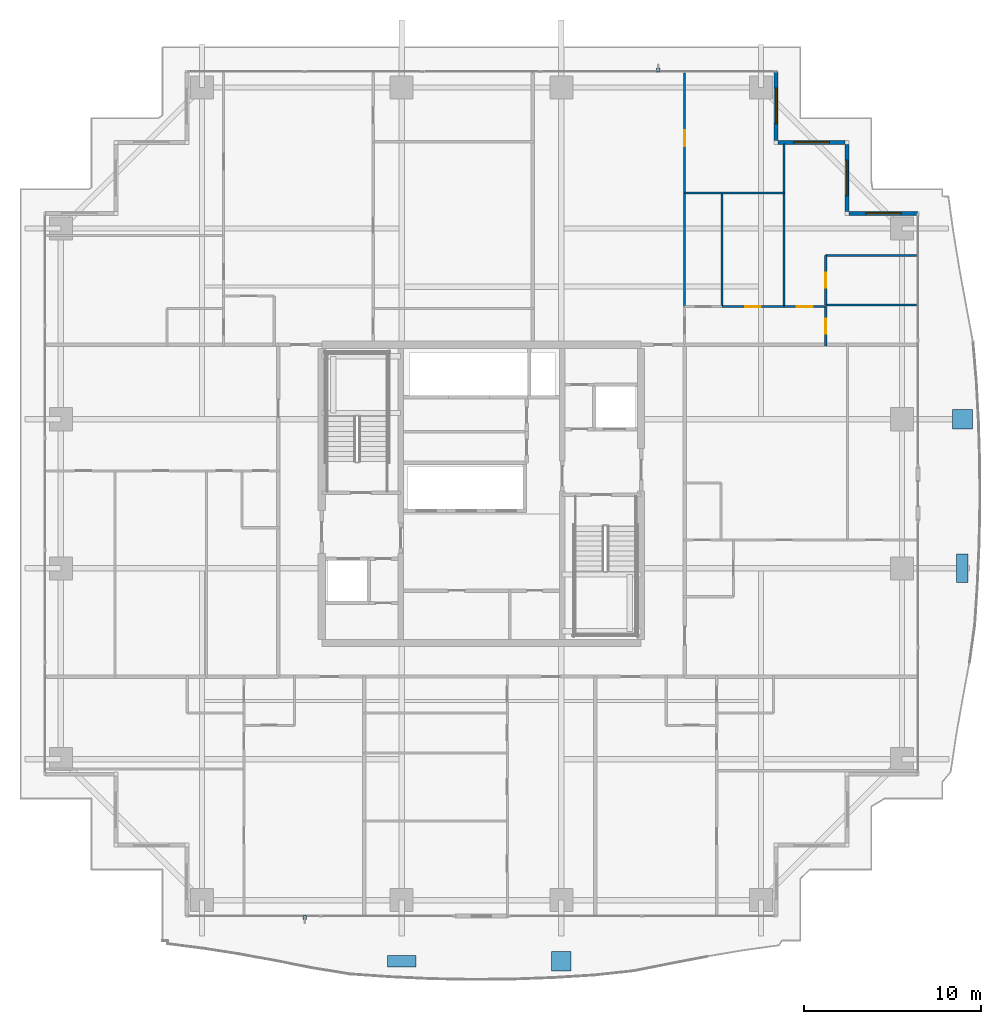
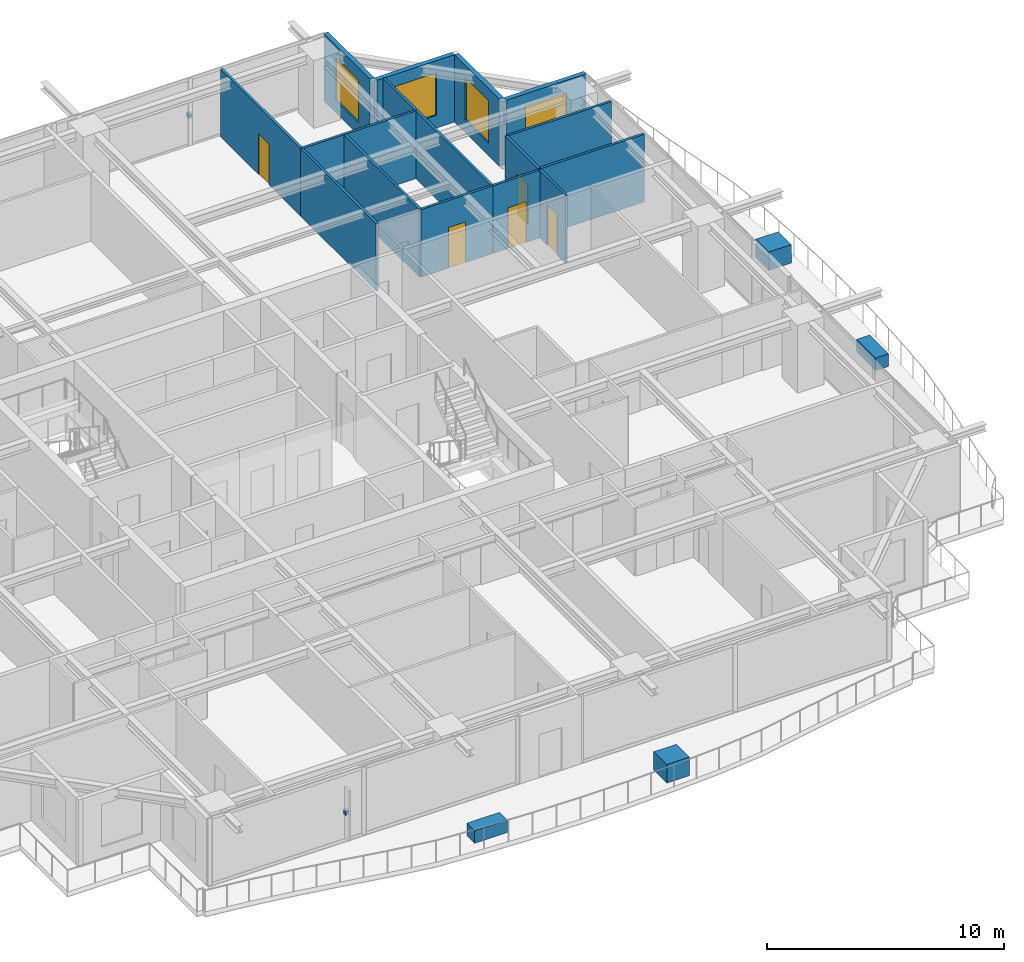
# One storey, part 29 of 35: 15 walls, 6 discrete accessories, 5 doors, 4 windows, 9 openings.
"""IFC4 building model written with IfcOpenShell, lengths in metres."""

from ifc_helpers import new_model, si_unit, direction, frame, frame_2d, origin, origin_2d, place, context, subcontext, project, spatial, rectangle, extrude, source, transform, mapped, material, layer, layer_set, type_object, element, fill, save


model = new_model("IFC4")

# Units and contexts
model_context = context("Model", 3, precision=1e-05, world=origin(), true_north=direction((0.0, 1.0)))
body_context = subcontext(model_context, "Body", "Model", "MODEL_VIEW")
ifc_project = project(units=[si_unit("LENGTHUNIT", "METRE"), si_unit("AREAUNIT", "SQUARE_METRE"), si_unit("VOLUMEUNIT", "CUBIC_METRE"), si_unit("PLANEANGLEUNIT", "RADIAN"), si_unit("MASSUNIT", "GRAM", prefix="KILO")], contexts=[model_context])

# Site, building, storey
site_placement = place(None, origin())
site = spatial("IfcSite", under=ifc_project, at=site_placement, CompositionType="ELEMENT")
building_placement = place(site_placement, origin())
building = spatial("IfcBuilding", under=site, at=building_placement, Name="Serunith Strait Residences", CompositionType="ELEMENT")
storey_placement = place(building_placement, frame((0.0, 0.0, 191.39990234375)))
storey = spatial("IfcBuildingStorey", under=building, at=storey_placement, Name="L48", CompositionType="ELEMENT", Elevation=191.39990234375)

# Wall, opening, window
ifc_material_1 = material(Name="Pale-Champagne Aluminium Insulated Panel", Category="aluminium")
ifc_layer_1 = layer(ifc_material_1, 0.219970703125, Name="Pale-Champagne Aluminium Insulated Panel")
ifc_layer_set_1 = layer_set([ifc_layer_1], Name="Pale-Champagne Aluminium Insulated Panel")
wall_type_1 = type_object("IfcWallType", Name="EW-ALUM-220", PredefinedType="ELEMENTEDWALL", material=ifc_layer_set_1)
wall_1_placement = place(storey_placement, frame((57.0, 41.0, 0.0), z_axis=(0.0, 0.0, 1.0), x_axis=(-1.0, 0.0, 0.0)))
wall_1 = element("IfcWall", 1, at=wall_1_placement, inside=storey, type_object=wall_type_1, Name="L48 Girih Serrated Corner Wall 07", PredefinedType="ELEMENTEDWALL", context=body_context, shape_type="SweptSolid", body=[
    extrude(rectangle(XDim=3.889892578125, YDim=0.219970703125, at=frame_2d((1.94482421875, 0.0))), origin(), (0.0, 0.0, 1.0), 3.47509765625),
])
opening_1_placement = place(wall_1_placement, frame((0.945068359375, 0.0, 0.64990234375)))
opening_1 = element("IfcOpeningElement", 2, at=opening_1_placement, cuts=wall_1, Name="Opening W-04", PredefinedType="OPENING", context=body_context, shape_type="SweptSolid", body=[
    extrude(rectangle(XDim=2.0, YDim=2.199951171875, at=frame_2d((1.0, 1.10009765625))), frame((0.0, 0.1201171875, 0.0), z_axis=(0.0, -1.0, 0.0), x_axis=(1.0, 0.0, 0.0)), (0.0, 0.0, 1.0), 0.239990234375),
])
ifc_material_2 = material(Name="Ceramic-Fritted Operable Aluminium Window Glass", Category="aluminium")
window_type = type_object("IfcWindowType", Name="WIN-C4", PartitioningType="TRIPLE_PANEL_VERTICAL", PredefinedType="WINDOW", material=ifc_material_2)
shared_shape_1 = source(origin(), body_context, "Body", "SweptSolid", [
    extrude(rectangle(XDim=2.0, YDim=2.199951171875, at=frame_2d((1.0, 1.10009765625))), frame((0.0, 0.030029296875, 0.0), z_axis=(0.0, -1.0, 0.0), x_axis=(1.0, 0.0, 0.0)), (0.0, 0.0, 1.0), 0.06005859375),
])
window_1_placement = place(opening_1_placement, origin())
window_1 = element("IfcWindow", 3, at=window_1_placement, inside=storey, type_object=window_type, Name="L48 Corner Operable Fritted Window 07", OverallHeight=2.199951171875, OverallWidth=2.0, PartitioningType="SINGLE_PANEL", PredefinedType="WINDOW", context=body_context, shape_type="MappedRepresentation", body=[
    mapped(shared_shape_1, transform((0.0, 0.0, 0.0), scale=1.0)),
])
fill(opening_1, window_1)

wall_2_placement = place(storey_placement, frame((53.0, 41.110107421875, 0.0), z_axis=(0.0, 0.0, 1.0), x_axis=(0.0, 1.0, 0.0)))
wall_2 = element("IfcWall", 4, at=wall_2_placement, inside=storey, type_object=wall_type_1, Name="L48 Girih Serrated Corner Wall 08", PredefinedType="ELEMENTEDWALL", context=body_context, shape_type="SweptSolid", body=[
    extrude(rectangle(XDim=3.77978515625, YDim=0.219970703125, at=frame_2d((1.889892578125, 0.0))), origin(), (0.0, 0.0, 1.0), 3.47509765625),
])
opening_2_placement = place(wall_2_placement, frame((0.889892578125, 0.0, 0.64990234375)))
opening_2 = element("IfcOpeningElement", 5, at=opening_2_placement, cuts=wall_2, Name="Opening W-04", PredefinedType="OPENING", context=body_context, shape_type="SweptSolid", body=[
    extrude(rectangle(XDim=2.0, YDim=2.199951171875, at=frame_2d((1.0, 1.10009765625))), frame((0.0, 0.1201171875, 0.0), z_axis=(0.0, -1.0, 0.0), x_axis=(1.0, 0.0, 0.0)), (0.0, 0.0, 1.0), 0.239990234375),
])
window_2_placement = place(opening_2_placement, origin())
window_2 = element("IfcWindow", 6, at=window_2_placement, inside=storey, type_object=window_type, Name="L48 Corner Operable Fritted Window 08", OverallHeight=2.199951171875, OverallWidth=2.0, PartitioningType="SINGLE_PANEL", PredefinedType="WINDOW", context=body_context, shape_type="MappedRepresentation", body=[
    mapped(shared_shape_1, transform((0.0, 0.0, 0.0), scale=1.0)),
])
fill(opening_2, window_2)

wall_3_placement = place(storey_placement, frame((52.889892578125, 45.0, 0.0), z_axis=(0.0, 0.0, 1.0), x_axis=(-1.0, 0.0, 0.0)))
wall_3 = element("IfcWall", 7, at=wall_3_placement, inside=storey, type_object=wall_type_1, Name="L48 Girih Serrated Corner Wall 09", PredefinedType="ELEMENTEDWALL", context=body_context, shape_type="SweptSolid", body=[
    extrude(rectangle(XDim=3.77978515625, YDim=0.219970703125, at=frame_2d((1.889892578125, 0.0))), origin(), (0.0, 0.0, 1.0), 3.47509765625),
])
opening_3_placement = place(wall_3_placement, frame((0.889892578125, 0.0, 0.64990234375)))
opening_3 = element("IfcOpeningElement", 8, at=opening_3_placement, cuts=wall_3, Name="Opening W-04", PredefinedType="OPENING", context=body_context, shape_type="SweptSolid", body=[
    extrude(rectangle(XDim=2.0, YDim=2.199951171875, at=frame_2d((1.0, 1.10009765625))), frame((0.0, 0.1201171875, 0.0), z_axis=(0.0, -1.0, 0.0), x_axis=(1.0, 0.0, 0.0)), (0.0, 0.0, 1.0), 0.239990234375),
])
window_3_placement = place(opening_3_placement, origin())
window_3 = element("IfcWindow", 9, at=window_3_placement, inside=storey, type_object=window_type, Name="L48 Corner Operable Fritted Window 09", OverallHeight=2.199951171875, OverallWidth=2.0, PartitioningType="SINGLE_PANEL", PredefinedType="WINDOW", context=body_context, shape_type="MappedRepresentation", body=[
    mapped(shared_shape_1, transform((0.0, 0.0, 0.0), scale=1.0)),
])
fill(opening_3, window_3)

wall_4_placement = place(storey_placement, frame((49.0, 45.110107421875, 0.0), z_axis=(0.0, 0.0, 1.0), x_axis=(0.0, 1.0, 0.0)))
wall_4 = element("IfcWall", 10, at=wall_4_placement, inside=storey, type_object=wall_type_1, Name="L48 Girih Serrated Corner Wall 10", PredefinedType="ELEMENTEDWALL", context=body_context, shape_type="SweptSolid", body=[
    extrude(rectangle(XDim=3.889892578125, YDim=0.219970703125, at=frame_2d((1.94482421875, 0.0))), origin(), (0.0, 0.0, 1.0), 3.47509765625),
])
opening_4_placement = place(wall_4_placement, frame((0.945068359375, 0.0, 0.64990234375)))
opening_4 = element("IfcOpeningElement", 11, at=opening_4_placement, cuts=wall_4, Name="Opening W-04", PredefinedType="OPENING", context=body_context, shape_type="SweptSolid", body=[
    extrude(rectangle(XDim=2.0, YDim=2.199951171875, at=frame_2d((1.0, 1.10009765625))), frame((0.0, 0.1201171875, 0.0), z_axis=(0.0, -1.0, 0.0), x_axis=(1.0, 0.0, 0.0)), (0.0, 0.0, 1.0), 0.239990234375),
])
window_4_placement = place(opening_4_placement, origin())
window_4 = element("IfcWindow", 12, at=window_4_placement, inside=storey, type_object=window_type, Name="L48 Corner Operable Fritted Window 10", OverallHeight=2.199951171875, OverallWidth=2.0, PartitioningType="SINGLE_PANEL", PredefinedType="WINDOW", context=body_context, shape_type="MappedRepresentation", body=[
    mapped(shared_shape_1, transform((0.0, 0.0, 0.0), scale=1.0)),
])
fill(opening_4, window_4)

# Wall, opening, door
ifc_material_3 = material(Name="Lightweight steel-stud gypsum partition", Category="steel")
ifc_layer_2 = layer(ifc_material_3, 0.1201171875, Name="Lightweight steel-stud gypsum partition")
ifc_layer_set_2 = layer_set([ifc_layer_2], Name="Lightweight steel-stud gypsum partition")
wall_type_2 = type_object("IfcWallType", Name="IW-PART-120", PredefinedType="PARTITIONING", material=ifc_layer_set_2)
wall_5_placement = place(storey_placement, frame((43.85009765625, 48.905029296875, 0.0), z_axis=(0.0, 0.0, 1.0), x_axis=(0.0, -1.0, 0.0)))
wall_5 = element("IfcWall", 13, at=wall_5_placement, inside=storey, type_object=wall_type_2, Name="L48 Partition Wall 069", PredefinedType="PARTITIONING", context=body_context, shape_type="SweptSolid", body=[
    extrude(rectangle(XDim=6.7470703125, YDim=0.1201171875, at=frame_2d((3.37353515625, 0.0))), origin(), (0.0, 0.0, 1.0), 3.489990234375),
])
opening_5_placement = place(wall_5_placement, frame((3.216064453125, 0.0, 0.0)))
opening_5 = element("IfcOpeningElement", 14, at=opening_5_placement, cuts=wall_5, Name="Opening D-RM900", PredefinedType="OPENING", context=body_context, shape_type="SweptSolid", body=[
    extrude(rectangle(XDim=0.89990234375, YDim=2.10009765625, at=frame_2d((0.449951171875, 1.050048828125))), frame((0.0, 0.070068359375, 0.0), z_axis=(0.0, -1.0, 0.0), x_axis=(1.0, 0.0, 0.0)), (0.0, 0.0, 1.0), 0.14013671875),
])
ifc_material_4 = material(Name="Engineered timber flush bedroom door", Category="wood")
door_type_1 = type_object("IfcDoorType", Name="ID-ROOM-900", OperationType="NOTDEFINED", PredefinedType="DOOR", material=ifc_material_4)
shared_shape_2 = source(origin(), body_context, "Body", "SweptSolid", [
    extrude(rectangle(XDim=0.89990234375, YDim=2.10009765625, at=frame_2d((0.449951171875, 1.050048828125))), frame((0.0, 0.02490234375, 0.0), z_axis=(0.0, -1.0, 0.0), x_axis=(1.0, 0.0, 0.0)), (0.0, 0.0, 1.0), 0.050048828125),
])
door_1_placement = place(opening_5_placement, origin())
door_1 = element("IfcDoor", 15, at=door_1_placement, inside=storey, type_object=door_type_1, Name="L48 Formal Dining Room 1 4805 Door", OperationType="SINGLE_SWING_RIGHT", OverallHeight=2.10009765625, OverallWidth=0.89990234375, PredefinedType="DOOR", context=body_context, shape_type="MappedRepresentation", body=[
    mapped(shared_shape_2, transform((0.0, 0.0, 0.0), scale=1.0)),
])
fill(opening_5, door_1)

# Walls
wall_6_placement = place(storey_placement, frame((43.85009765625, 42.156005859375, 0.0), z_axis=(0.0, 0.0, 1.0), x_axis=(0.0, -1.0, 0.0)))
element("IfcWall", 16, at=wall_6_placement, inside=storey, type_object=wall_type_2, Name="L48 Partition Wall 070", PredefinedType="PARTITIONING", context=body_context, shape_type="SweptSolid", body=[
    extrude(rectangle(XDim=6.404052734375, YDim=0.1201171875, at=frame_2d((3.2021484375, 0.0))), origin(), (0.0, 0.0, 1.0), 3.489990234375),
])
wall_7_placement = place(storey_placement, frame((43.85009765625, 42.157958984375, 0.0), z_axis=(0.0, 0.0, 1.0), x_axis=(1.0, 0.0, 0.0)))
element("IfcWall", 17, at=wall_7_placement, inside=storey, type_object=wall_type_2, Name="L48 Partition Wall 071", PredefinedType="PARTITIONING", context=body_context, shape_type="SweptSolid", body=[
    extrude(rectangle(XDim=5.599853515625, YDim=0.1201171875, at=frame_2d((2.7998046875, 0.0))), origin(), (0.0, 0.0, 1.0), 3.489990234375),
])
wall_8_placement = place(storey_placement, frame((49.449951171875, 44.905029296875, 0.0), z_axis=(0.0, 0.0, 1.0), x_axis=(0.0, -1.0, 0.0)))
element("IfcWall", 18, at=wall_8_placement, inside=storey, type_object=wall_type_2, Name="L48 Partition Wall 072", PredefinedType="PARTITIONING", context=body_context, shape_type="SweptSolid", body=[
    extrude(rectangle(XDim=9.155029296875, YDim=0.1201171875, at=frame_2d((4.57763671875, 0.0))), origin(), (0.0, 0.0, 1.0), 3.489990234375),
])
wall_9_placement = place(storey_placement, frame((45.949951171875, 42.157958984375, 0.0), z_axis=(0.0, 0.0, 1.0), x_axis=(0.0, -1.0, 0.0)))
element("IfcWall", 19, at=wall_9_placement, inside=storey, type_object=wall_type_2, Name="L48 Partition Wall 073", PredefinedType="PARTITIONING", context=body_context, shape_type="SweptSolid", body=[
    extrude(rectangle(XDim=6.407958984375, YDim=0.1201171875, at=frame_2d((3.2041015625, 0.0))), origin(), (0.0, 0.0, 1.0), 3.489990234375),
])

# Wall, opening, door
wall_10_placement = place(storey_placement, frame((45.951904296875, 35.75, 0.0), z_axis=(0.0, 0.0, 1.0), x_axis=(1.0, 0.0, 0.0)))
wall_10 = element("IfcWall", 20, at=wall_10_placement, inside=storey, type_object=wall_type_2, Name="L48 Partition Wall 075", PredefinedType="PARTITIONING", context=body_context, shape_type="SweptSolid", body=[
    extrude(rectangle(XDim=3.498046875, YDim=0.1201171875, at=frame_2d((1.7490234375, 0.0))), origin(), (0.0, 0.0, 1.0), 3.489990234375),
])
opening_6_placement = place(wall_10_placement, frame((1.323974609375, 0.0, 0.0)))
opening_6 = element("IfcOpeningElement", 21, at=opening_6_placement, cuts=wall_10, Name="Opening D-RM850", PredefinedType="OPENING", context=body_context, shape_type="SweptSolid", body=[
    extrude(rectangle(XDim=0.85009765625, YDim=2.10009765625, at=frame_2d((0.425048828125, 1.050048828125))), frame((0.0, 0.070068359375, 0.0), z_axis=(0.0, -1.0, 0.0), x_axis=(1.0, 0.0, 0.0)), (0.0, 0.0, 1.0), 0.14013671875),
])
ifc_material_5 = material(Name="Engineered timber flush study and kitchen door", Category="wood")
door_type_2 = type_object("IfcDoorType", Name="ID-ROOM-850", OperationType="NOTDEFINED", PredefinedType="DOOR", material=ifc_material_5)
shared_shape_3 = source(origin(), body_context, "Body", "SweptSolid", [
    extrude(rectangle(XDim=0.85009765625, YDim=2.10009765625, at=frame_2d((0.425048828125, 1.050048828125))), frame((0.0, 0.02490234375, 0.0), z_axis=(0.0, -1.0, 0.0), x_axis=(1.0, 0.0, 0.0)), (0.0, 0.0, 1.0), 0.050048828125),
])
door_2_placement = place(opening_6_placement, origin())
door_2 = element("IfcDoor", 22, at=door_2_placement, inside=storey, type_object=door_type_2, Name="L48 Kitchen 4805 Door", OperationType="SINGLE_SWING_RIGHT", OverallHeight=2.10009765625, OverallWidth=0.85009765625, PredefinedType="DOOR", context=body_context, shape_type="MappedRepresentation", body=[
    mapped(shared_shape_3, transform((0.0, 0.0, 0.0), scale=1.0)),
])
fill(opening_6, door_2)

wall_11_placement = place(storey_placement, frame((49.451904296875, 35.75, 0.0), z_axis=(0.0, 0.0, 1.0), x_axis=(1.0, 0.0, 0.0)))
wall_11 = element("IfcWall", 23, at=wall_11_placement, inside=storey, type_object=wall_type_2, Name="L48 Partition Wall 076", PredefinedType="PARTITIONING", context=body_context, shape_type="SweptSolid", body=[
    extrude(rectangle(XDim=2.34814453125, YDim=0.1201171875, at=frame_2d((1.174072265625, 0.0))), origin(), (0.0, 0.0, 1.0), 3.489990234375),
])
opening_7_placement = place(wall_11_placement, frame((0.72412109375, 0.0, 0.0)))
opening_7 = element("IfcOpeningElement", 24, at=opening_7_placement, cuts=wall_11, Name="Opening D-RM900", PredefinedType="OPENING", context=body_context, shape_type="SweptSolid", body=[
    extrude(rectangle(XDim=0.89990234375, YDim=2.10009765625, at=frame_2d((0.449951171875, 1.050048828125))), frame((0.0, 0.070068359375, 0.0), z_axis=(0.0, -1.0, 0.0), x_axis=(1.0, 0.0, 0.0)), (0.0, 0.0, 1.0), 0.14013671875),
])
door_3_placement = place(opening_7_placement, origin())
door_3 = element("IfcDoor", 25, at=door_3_placement, inside=storey, type_object=door_type_1, Name="L48 Master Bedroom E 4805 Door", OperationType="SINGLE_SWING_LEFT", OverallHeight=2.10009765625, OverallWidth=0.89990234375, PredefinedType="DOOR", context=body_context, shape_type="MappedRepresentation", body=[
    mapped(shared_shape_2, transform((0.0, 0.0, 0.0), scale=1.0)),
])
fill(opening_7, door_3)

# Walls
wall_12_placement = place(storey_placement, frame((51.800048828125, 38.62109375, 0.0), z_axis=(0.0, 0.0, 1.0), x_axis=(1.0, 0.0, 0.0)))
element("IfcWall", 26, at=wall_12_placement, inside=storey, type_object=wall_type_2, Name="L48 Partition Wall 077", PredefinedType="PARTITIONING", context=body_context, shape_type="SweptSolid", body=[
    extrude(rectangle(XDim=5.10498046875, YDim=0.1201171875, at=frame_2d((2.552490234375, 0.0))), origin(), (0.0, 0.0, 1.0), 3.489990234375),
])
wall_13_placement = place(storey_placement, frame((51.802001953125, 35.845947265625, 0.0), z_axis=(0.0, 0.0, 1.0), x_axis=(1.0, 0.0, 0.0)))
element("IfcWall", 27, at=wall_13_placement, inside=storey, type_object=wall_type_2, Name="L48 Partition Wall 078", PredefinedType="PARTITIONING", context=body_context, shape_type="SweptSolid", body=[
    extrude(rectangle(XDim=5.10302734375, YDim=0.1201171875, at=frame_2d((2.551513671875, 0.0))), origin(), (0.0, 0.0, 1.0), 3.489990234375),
])

# Wall, opening, door
wall_14_placement = place(storey_placement, frame((51.800048828125, 38.62109375, 0.0), z_axis=(0.0, 0.0, 1.0), x_axis=(0.0, -1.0, 0.0)))
wall_14 = element("IfcWall", 28, at=wall_14_placement, inside=storey, type_object=wall_type_2, Name="L48 Partition Wall 079", PredefinedType="PARTITIONING", context=body_context, shape_type="SweptSolid", body=[
    extrude(rectangle(XDim=2.775146484375, YDim=0.1201171875, at=frame_2d((1.3876953125, 0.0))), origin(), (0.0, 0.0, 1.0), 3.489990234375),
])
opening_8_placement = place(wall_14_placement, frame((0.962890625, 0.0, 0.0)))
opening_8 = element("IfcOpeningElement", 29, at=opening_8_placement, cuts=wall_14, Name="Opening D-BTH850", PredefinedType="OPENING", context=body_context, shape_type="SweptSolid", body=[
    extrude(rectangle(XDim=0.85009765625, YDim=2.10009765625, at=frame_2d((0.425048828125, 1.050048828125))), frame((0.0, 0.070068359375, 0.0), z_axis=(0.0, -1.0, 0.0), x_axis=(1.0, 0.0, 0.0)), (0.0, 0.0, 1.0), 0.14013671875),
])
ifc_material_6 = material(Name="Moisture-resistant timber bathroom door", Category="wood")
door_type_3 = type_object("IfcDoorType", Name="ID-BATH-850", OperationType="NOTDEFINED", PredefinedType="DOOR", material=ifc_material_6)
door_4_placement = place(opening_8_placement, origin())
door_4 = element("IfcDoor", 30, at=door_4_placement, inside=storey, type_object=door_type_3, Name="L48 En-suite Bathroom E 4805 Door", OperationType="SINGLE_SWING_RIGHT", OverallHeight=2.10009765625, OverallWidth=0.85009765625, PredefinedType="DOOR", context=body_context, shape_type="MappedRepresentation", body=[
    mapped(shared_shape_3, transform((0.0, 0.0, 0.0), scale=1.0)),
])
fill(opening_8, door_4)

wall_15_placement = place(storey_placement, frame((51.800048828125, 35.75, 0.0), z_axis=(0.0, 0.0, 1.0), x_axis=(0.0, -1.0, 0.0)))
wall_15 = element("IfcWall", 31, at=wall_15_placement, inside=storey, type_object=wall_type_2, Name="L48 Partition Wall 080", PredefinedType="PARTITIONING", context=body_context, shape_type="SweptSolid", body=[
    extrude(rectangle(XDim=2.2099609375, YDim=0.1201171875, at=frame_2d((1.10498046875, 0.0))), origin(), (0.0, 0.0, 1.0), 3.489990234375),
])
opening_9_placement = place(wall_15_placement, frame((0.679931640625, 0.0, 0.0)))
opening_9 = element("IfcOpeningElement", 32, at=opening_9_placement, cuts=wall_15, Name="Opening D-RM850", PredefinedType="OPENING", context=body_context, shape_type="SweptSolid", body=[
    extrude(rectangle(XDim=0.85009765625, YDim=2.10009765625, at=frame_2d((0.425048828125, 1.050048828125))), frame((0.0, 0.070068359375, 0.0), z_axis=(0.0, -1.0, 0.0), x_axis=(1.0, 0.0, 0.0)), (0.0, 0.0, 1.0), 0.14013671875),
])
door_5_placement = place(opening_9_placement, origin())
door_5 = element("IfcDoor", 33, at=door_5_placement, inside=storey, type_object=door_type_2, Name="L48 Wardrobe E 4805 Door", OperationType="SINGLE_SWING_LEFT", OverallHeight=2.10009765625, OverallWidth=0.85009765625, PredefinedType="DOOR", context=body_context, shape_type="MappedRepresentation", body=[
    mapped(shared_shape_3, transform((0.0, 0.0, 0.0), scale=1.0)),
])
fill(opening_9, door_5)

# Discrete accessories
ifc_material_7 = material(Name="GFRC Root-Anchored Structural Planter")
discrete_accessory_type_1 = type_object("IfcDiscreteAccessoryType", Name="ACC-PLANTER-TREE", PredefinedType="USERDEFINED", material=ifc_material_7)
shared_shape_4 = source(origin(), body_context, "Body", "SweptSolid", [
    extrude(rectangle(XDim=1.10009765625, YDim=1.10009765625, at=origin_2d()), origin(), (0.0, 0.0, 1.0), 0.949951171875),
])
for number, where, z_axis, x_axis, name in (
    (34, (36.89990234375, -1.139404296875, -0.0498046875), (0.0, 0.0, 1.0), (1.0, 0.0, 0.0), "L48 Vertical-Forest Tree Planter 03"),
    (35, (59.506591796875, 29.39990234375, -0.0498046875), (0.0, 0.0, 1.0), (0.0, 1.0, 0.0), "L48 Vertical-Forest Tree Planter 11"),
):
    element("IfcDiscreteAccessory", number, at=place(storey_placement, frame(where, z_axis=z_axis, x_axis=x_axis)), inside=storey, type_object=discrete_accessory_type_1, Name=name, ObjectType="PLANTER", PredefinedType="USERDEFINED", context=body_context, shape_type="MappedRepresentation", body=[
        mapped(shared_shape_4, transform((0.0, 0.0, 0.0), scale=1.0)),
    ])
ifc_material_8 = material(Name="GFRC Irrigated Shrub Trough Planter")
discrete_accessory_type_2 = type_object("IfcDiscreteAccessoryType", Name="ACC-PLANTER-SHRUB", PredefinedType="USERDEFINED", material=ifc_material_8)
shared_shape_5 = source(origin(), body_context, "Body", "SweptSolid", [
    extrude(rectangle(XDim=1.60009765625, YDim=0.64990234375, at=origin_2d()), origin(), (0.0, 0.0, 1.0), 0.64990234375),
])
for number, where, z_axis, x_axis, name in (
    (36, (27.89990234375, -1.151123046875, -0.0498046875), (0.0, 0.0, 1.0), (1.0, 0.0, 0.0), "L48 Vertical-Forest Shrub Planter 02"),
    (37, (59.4892578125, 21.0, -0.0498046875), (0.0, 0.0, 1.0), (0.0, 1.0, 0.0), "L48 Vertical-Forest Shrub Planter 10"),
):
    element("IfcDiscreteAccessory", number, at=place(storey_placement, frame(where, z_axis=z_axis, x_axis=x_axis)), inside=storey, type_object=discrete_accessory_type_2, Name=name, ObjectType="PLANTER", PredefinedType="USERDEFINED", context=body_context, shape_type="MappedRepresentation", body=[
        mapped(shared_shape_5, transform((0.0, 0.0, 0.0), scale=1.0)),
    ])
ifc_material_9 = material(Name="Stainless Steel Facade Cleat Bracket", Category="steel")
discrete_accessory_type_3 = type_object("IfcDiscreteAccessoryType", Name="ACC-FIN-BRACKET", PredefinedType="USERDEFINED", material=ifc_material_9)
shared_shape_6 = source(origin(), body_context, "Body", "SweptSolid", [
    extrude(rectangle(XDim=0.179931640625, YDim=0.219970703125, at=origin_2d()), origin(), (0.0, 0.0, 1.0), 0.179931640625),
])
for number, where, z_axis, x_axis, name in (
    (38, (22.43994140625, 1.320068359375, 1.41015625), (0.0, 0.0, 1.0), (1.0, 0.0, 0.0), "L48 Solar Fin Cleat Bracket S"),
    (39, (42.360107421875, 49.080078125, 1.41015625), (0.0, 0.0, 1.0), (1.0, 0.0, 0.0), "L48 Solar Fin Cleat Bracket N"),
):
    element("IfcDiscreteAccessory", number, at=place(storey_placement, frame(where, z_axis=z_axis, x_axis=x_axis)), inside=storey, type_object=discrete_accessory_type_3, Name=name, ObjectType="BRACKET", PredefinedType="USERDEFINED", context=body_context, shape_type="MappedRepresentation", body=[
        mapped(shared_shape_6, transform((0.0, 0.0, 0.0), scale=1.0)),
    ])

save(model, "model.ifc")
